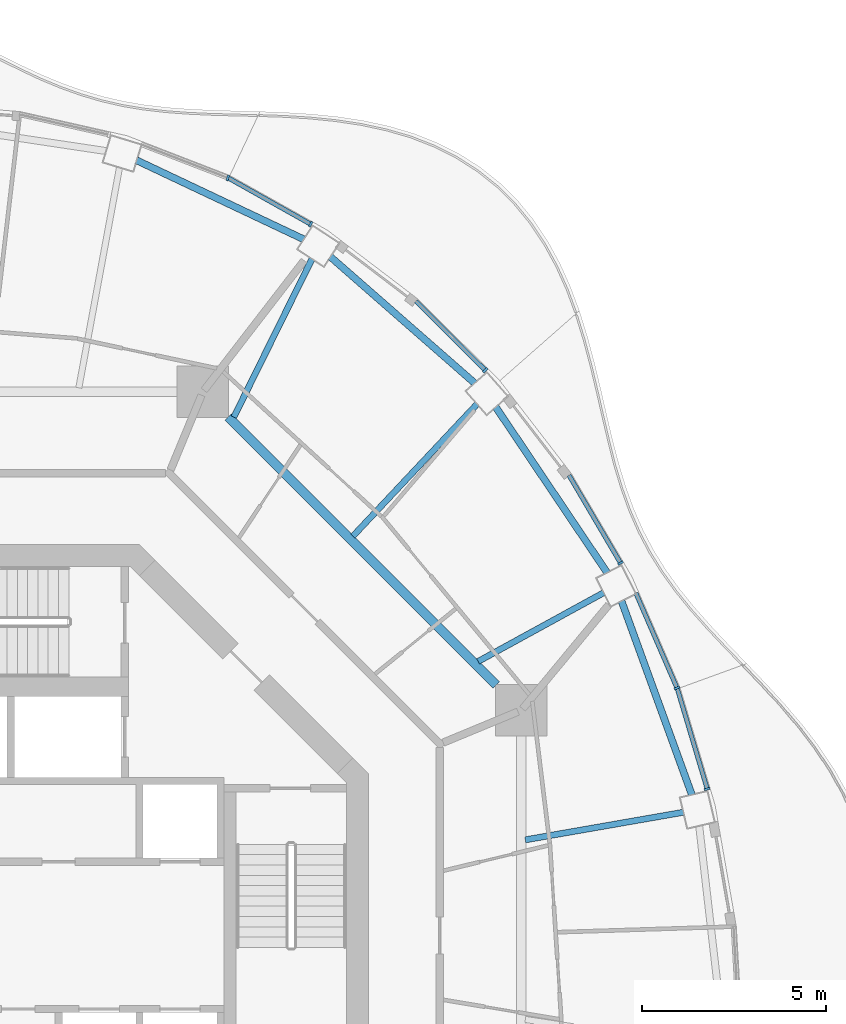
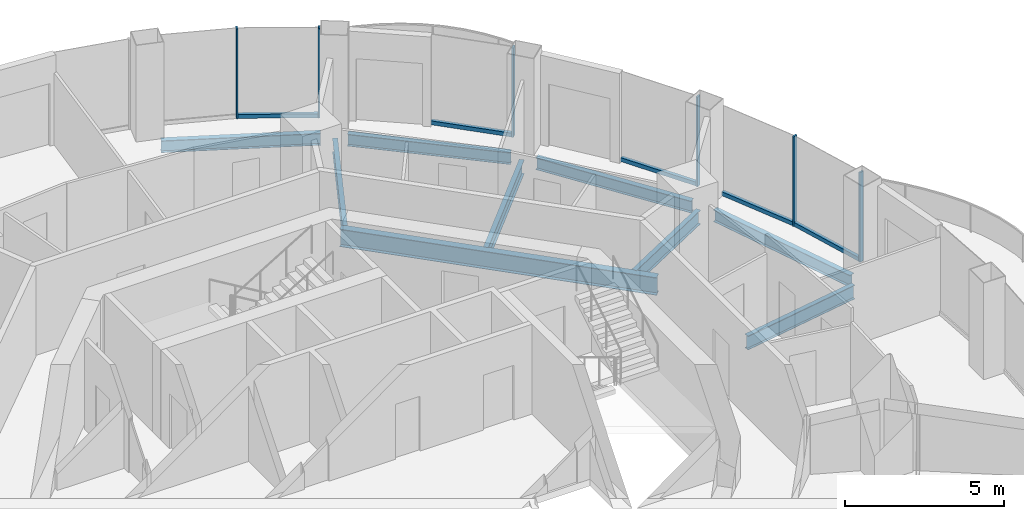
# One storey, part 7 of 17: 11 members, 9 beams, 6 elements without a shape of their own.
"""IFC4 building model written with IfcOpenShell, lengths in metres."""

from ifc_helpers import new_model, si_unit, direction, frame, origin, origin_2d, place, context, subcontext, project, spatial, rectangle, i_section, extrude, material, layer, layer_set, material_profile, profile_set, type_object, element, aggregate, save


model = new_model("IFC4")

# Units and contexts
model_context = context("Model", 3, precision=1e-05, world=origin(), true_north=direction((0.0, 1.0)))
body_context = subcontext(model_context, "Body", "Model", "MODEL_VIEW")
ifc_project = project(units=[si_unit("LENGTHUNIT", "METRE"), si_unit("AREAUNIT", "SQUARE_METRE"), si_unit("VOLUMEUNIT", "CUBIC_METRE"), si_unit("PLANEANGLEUNIT", "RADIAN"), si_unit("MASSUNIT", "GRAM", prefix="KILO")], contexts=[model_context])

# Site, building, storey
site_placement = place(None, origin())
site = spatial("IfcSite", under=ifc_project, at=site_placement, CompositionType="ELEMENT")
building_placement = place(site_placement, origin())
building = spatial("IfcBuilding", under=site, at=building_placement, Name="Nagisa Residences", CompositionType="ELEMENT")
storey_placement = place(building_placement, frame((0.0, 0.0, 280.699951171875)))
storey = spatial("IfcBuildingStorey", under=building, at=storey_placement, Name="L71", CompositionType="ELEMENT", Elevation=280.699951171875)

# Curtain wall, member
ifc_material_1 = material(Name="Concrete-coloured aluminium curtain wall system", Category="concrete")
ifc_layer = layer(ifc_material_1, 0.159912109375)
ifc_layer_set = layer_set([ifc_layer], Name="CW1 CURTAIN WALL")
curtain_wall_type = type_object("IfcCurtainWallType", Name="CW1 CURTAIN WALL", PredefinedType="NOTDEFINED", material=ifc_layer_set)
curtain_wall_1_placement = place(storey_placement, origin())
curtain_wall_1 = element("IfcCurtainWall", 1, at=curtain_wall_1_placement, inside=storey, type_object=curtain_wall_type, Name="cw:CW1:L71:02", PredefinedType="NOTDEFINED")
ifc_material_2 = material(Name="Concrete-coloured aluminium", Category="concrete")
ifc_material_profile_1 = material_profile(ifc_material_2, rectangle(XDim=0.159912109375, YDim=0.06005859375, at=origin_2d()), Name="CW1 MULLION 160x60")
ifc_profile_set_1 = profile_set([ifc_material_profile_1], Name="Concrete-coloured aluminium")
member_type_1 = type_object("IfcMemberType", Name="CW1 MULLION 160x60", PredefinedType="MULLION", material=ifc_profile_set_1)
member_1_placement = place(storey_placement, frame((19.83544921875, 3.9814453125, 0.0), z_axis=(0.0, 0.0, 1.0), x_axis=(-0.958271310082, -0.285860274038, 0.0)))
member_1 = element("IfcMember", 2, at=member_1_placement, type_object=member_type_1, Name="CW1 mullion", PredefinedType="MULLION", context=body_context, shape_type="SweptSolid", body=[
    extrude(rectangle(XDim=0.159912109375, YDim=0.06005859375, at=origin_2d()), origin(), (0.0, 0.0, 1.0), 3.43994140625),
])

curtain_wall_2_placement = place(storey_placement, origin())
curtain_wall_2 = element("IfcCurtainWall", 3, at=curtain_wall_2_placement, inside=storey, type_object=curtain_wall_type, Name="cw:CW1:L71:03", PredefinedType="NOTDEFINED")
member_2_placement = place(storey_placement, frame((19.012939453125, 6.728271484375, 0.0), z_axis=(0.0, 0.0, 1.0), x_axis=(-0.917543276295, -0.397635934147, 0.0)))
member_2 = element("IfcMember", 4, at=member_2_placement, type_object=member_type_1, Name="CW1 mullion", PredefinedType="MULLION", context=body_context, shape_type="SweptSolid", body=[
    extrude(rectangle(XDim=0.159912109375, YDim=0.06005859375, at=origin_2d()), origin(), (0.0, 0.0, 1.0), 3.43994140625),
])

curtain_wall_3_placement = place(storey_placement, origin())
curtain_wall_3 = element("IfcCurtainWall", 5, at=curtain_wall_3_placement, inside=storey, type_object=curtain_wall_type, Name="cw:CW1:L71:04", PredefinedType="NOTDEFINED")
member_3_placement = place(storey_placement, frame((17.4775390625, 10.125732421875, 0.0), z_axis=(0.0, 0.0, 1.0), x_axis=(-0.862328898214, -0.506348567002, 0.0)))
member_3 = element("IfcMember", 6, at=member_3_placement, type_object=member_type_1, Name="CW1 mullion", PredefinedType="MULLION", context=body_context, shape_type="SweptSolid", body=[
    extrude(rectangle(XDim=0.159912109375, YDim=0.06005859375, at=origin_2d()), origin(), (0.0, 0.0, 1.0), 3.43994140625),
])

curtain_wall_4_placement = place(storey_placement, origin())
curtain_wall_4 = element("IfcCurtainWall", 7, at=curtain_wall_4_placement, inside=storey, type_object=curtain_wall_type, Name="cw:CW1:L71:06", PredefinedType="NOTDEFINED")
member_4_placement = place(storey_placement, frame((13.798583984375, 15.36572265625, 0.0), z_axis=(0.0, 0.0, 1.0), x_axis=(-0.706376885714, -0.707835924016, 0.0)))
member_4 = element("IfcMember", 8, at=member_4_placement, type_object=member_type_1, Name="CW1 mullion", PredefinedType="MULLION", context=body_context, shape_type="SweptSolid", body=[
    extrude(rectangle(XDim=0.159912109375, YDim=0.06005859375, at=origin_2d()), origin(), (0.0, 0.0, 1.0), 3.43994140625),
])

curtain_wall_5_placement = place(storey_placement, origin())
curtain_wall_5 = element("IfcCurtainWall", 9, at=curtain_wall_5_placement, inside=storey, type_object=curtain_wall_type, Name="cw:CW1:L71:08", PredefinedType="NOTDEFINED")
member_5_placement = place(storey_placement, frame((9.05224609375, 19.3388671875, 0.0), z_axis=(0.0, 0.0, 1.0), x_axis=(-0.489376918501, -0.872072377523, 0.0)))
member_5 = element("IfcMember", 10, at=member_5_placement, type_object=member_type_1, Name="CW1 mullion", PredefinedType="MULLION", context=body_context, shape_type="SweptSolid", body=[
    extrude(rectangle(XDim=0.159912109375, YDim=0.06005859375, at=origin_2d()), origin(), (0.0, 0.0, 1.0), 3.43994140625),
])

curtain_wall_6_placement = place(storey_placement, origin())
curtain_wall_6 = element("IfcCurtainWall", 11, at=curtain_wall_6_placement, inside=storey, type_object=curtain_wall_type, Name="cw:CW1:L71:09", PredefinedType="NOTDEFINED")
member_6_placement = place(storey_placement, frame((6.799560546875, 20.59912109375, 0.0), z_axis=(0.0, 0.0, 1.0), x_axis=(-0.360327770268, -0.932825759707, 0.0)))
member_6 = element("IfcMember", 12, at=member_6_placement, type_object=member_type_1, Name="CW1 mullion", PredefinedType="MULLION", context=body_context, shape_type="SweptSolid", body=[
    extrude(rectangle(XDim=0.159912109375, YDim=0.06005859375, at=origin_2d()), origin(), (0.0, 0.0, 1.0), 3.43994140625),
])
aggregate(curtain_wall_6, [member_6])

# Member
ifc_material_3 = material(Name="Concrete-coloured aluminium", Category="concrete")
ifc_material_profile_2 = material_profile(ifc_material_3, rectangle(XDim=0.1201171875, YDim=0.14990234375, at=origin_2d()), Name="CW1 TRANSOM 120x150")
ifc_profile_set_2 = profile_set([ifc_material_profile_2], Name="Concrete-coloured aluminium")
member_type_2 = type_object("IfcMemberType", Name="CW1 TRANSOM 120x150", PredefinedType="USERDEFINED", material=ifc_profile_set_2)
member_7_placement = place(storey_placement, frame((19.843994140625, 3.95263671875, 0.074951171875), z_axis=(-0.285876209024, 0.9582665564, 0.0), x_axis=(-0.9582665564, -0.285876209024, 0.0)))
member_7 = element("IfcMember", 13, at=member_7_placement, type_object=member_type_2, Name="CW1 transom", ObjectType="TRANSOM", PredefinedType="USERDEFINED", context=body_context, shape_type="SweptSolid", body=[
    extrude(rectangle(XDim=0.1201171875, YDim=0.14990234375, at=origin_2d()), origin(), (0.0, 0.0, 1.0), 2.877197265625),
])

aggregate(curtain_wall_1, [member_1, member_7])

member_8_placement = place(storey_placement, frame((19.024658203125, 6.70068359375, 0.074951171875), z_axis=(-0.397597791596, 0.9175598052, 0.0), x_axis=(-0.9175598052, -0.397597791596, 0.0)))
member_8 = element("IfcMember", 14, at=member_8_placement, type_object=member_type_2, Name="CW1 transom", ObjectType="TRANSOM", PredefinedType="USERDEFINED", context=body_context, shape_type="SweptSolid", body=[
    extrude(rectangle(XDim=0.1201171875, YDim=0.14990234375, at=origin_2d()), origin(), (0.0, 0.0, 1.0), 2.841064453125),
])

aggregate(curtain_wall_2, [member_2, member_8])

member_9_placement = place(storey_placement, frame((17.49267578125, 10.099853515625, 0.074951171875), z_axis=(-0.506371364425, 0.862315511452, 0.0), x_axis=(-0.862315511452, -0.506371364425, 0.0)))
member_9 = element("IfcMember", 15, at=member_9_placement, type_object=member_type_2, Name="CW1 transom", ObjectType="TRANSOM", PredefinedType="USERDEFINED", context=body_context, shape_type="SweptSolid", body=[
    extrude(rectangle(XDim=0.1201171875, YDim=0.14990234375, at=origin_2d()), origin(), (0.0, 0.0, 1.0), 2.79638671875),
])

aggregate(curtain_wall_3, [member_3, member_9])

member_10_placement = place(storey_placement, frame((13.81982421875, 15.344482421875, 0.074951171875), z_axis=(-0.707876975297, 0.706335747251, 0.0), x_axis=(-0.706335747251, -0.707876975297, 0.0)))
member_10 = element("IfcMember", 16, at=member_10_placement, type_object=member_type_2, Name="CW1 transom", ObjectType="TRANSOM", PredefinedType="USERDEFINED", context=body_context, shape_type="SweptSolid", body=[
    extrude(rectangle(XDim=0.1201171875, YDim=0.14990234375, at=origin_2d()), origin(), (0.0, 0.0, 1.0), 2.69287109375),
])

aggregate(curtain_wall_4, [member_4, member_10])

member_11_placement = place(storey_placement, frame((9.078369140625, 19.32421875, 0.074951171875), z_axis=(-0.872052877201, 0.489411666561, 0.0), x_axis=(-0.489411666561, -0.872052877201, 0.0)))
member_11 = element("IfcMember", 17, at=member_11_placement, type_object=member_type_2, Name="CW1 transom", ObjectType="TRANSOM", PredefinedType="USERDEFINED", context=body_context, shape_type="SweptSolid", body=[
    extrude(rectangle(XDim=0.1201171875, YDim=0.14990234375, at=origin_2d()), origin(), (0.0, 0.0, 1.0), 2.593017578125),
])

aggregate(curtain_wall_5, [member_5, member_11])

# Beams
ifc_material_4 = material(Name="Steel ASTM A572 Gr 50", Category="steel")
ifc_material_profile_3 = material_profile(ifc_material_4, i_section(OverallWidth=0.2529296875, OverallDepth=0.677978515625, WebThickness=0.01171875, FlangeThickness=0.016357421875, at=origin_2d()), Name="W690x125")
ifc_profile_set_3 = profile_set([ifc_material_profile_3], Name="Steel ASTM A572 Gr 50")
beam_type_1 = type_object("IfcBeamType", Name="Inner ring beam W690x125", PredefinedType="BEAM", material=ifc_profile_set_3)
beam_1_placement = place(storey_placement, frame((14.09619140625, 6.808837890625, -0.598876953125), z_axis=(-0.707106781187, 0.707106781187, 0.0), x_axis=(-0.707106781187, -0.707106781187, 0.0)))
element("IfcBeam", 18, at=beam_1_placement, inside=storey, type_object=beam_type_1, Name="beam:L71:ib1", PredefinedType="BEAM", context=body_context, shape_type="SweptSolid", body=[
    extrude(i_section(OverallWidth=0.2529296875, OverallDepth=0.677978515625, WebThickness=0.01171875, FlangeThickness=0.016357421875, at=origin_2d()), origin(), (0.0, 0.0, 1.0), 10.305908203125),
])
ifc_material_5 = material(Name="Steel ASTM A572 Gr 50", Category="steel")
ifc_material_profile_4 = material_profile(ifc_material_5, i_section(OverallWidth=0.18994140625, OverallDepth=0.45703125, WebThickness=0.009033203125, FlangeThickness=0.014404296875, at=origin_2d()), Name="W460x74")
ifc_profile_set_4 = profile_set([ifc_material_profile_4], Name="Steel ASTM A572 Gr 50")
beam_type_2 = type_object("IfcBeamType", Name="Perimeter ring beam W460x74", PredefinedType="BEAM", material=ifc_profile_set_4)
beam_2_placement = place(storey_placement, frame((19.41845703125, 3.822021484375, -0.488525390625), z_axis=(-0.341211850477, 0.93998642176, 0.0), x_axis=(-0.93998642176, -0.341211850477, 0.0)))
element("IfcBeam", 19, at=beam_2_placement, inside=storey, type_object=beam_type_2, Name="beam:L71:pb02", PredefinedType="BEAM", context=body_context, shape_type="SweptSolid", body=[
    extrude(i_section(OverallWidth=0.18994140625, OverallDepth=0.45703125, WebThickness=0.009033203125, FlangeThickness=0.014404296875, at=origin_2d()), origin(), (0.0, 0.0, 1.0), 5.609619140625),
])
beam_3_placement = place(storey_placement, frame((17.11474609375, 9.862060546875, -0.488525390625), z_axis=(-0.558066424866, 0.829796279479, 0.0), x_axis=(-0.829796279479, -0.558066424866, 0.0)))
element("IfcBeam", 20, at=beam_3_placement, inside=storey, type_object=beam_type_2, Name="beam:L71:pb03", PredefinedType="BEAM", context=body_context, shape_type="SweptSolid", body=[
    extrude(i_section(OverallWidth=0.18994140625, OverallDepth=0.45703125, WebThickness=0.009033203125, FlangeThickness=0.014404296875, at=origin_2d()), origin(), (0.0, 0.0, 1.0), 5.43212890625),
])
beam_4_placement = place(storey_placement, frame((13.514892578125, 15.015380859375, -0.488525390625), z_axis=(-0.752385480596, 0.658723074279, 0.0), x_axis=(-0.658723074279, -0.752385480596, 0.0)))
element("IfcBeam", 21, at=beam_4_placement, inside=storey, type_object=beam_type_2, Name="beam:L71:pb04", PredefinedType="BEAM", context=body_context, shape_type="SweptSolid", body=[
    extrude(i_section(OverallWidth=0.18994140625, OverallDepth=0.45703125, WebThickness=0.009033203125, FlangeThickness=0.014404296875, at=origin_2d()), origin(), (0.0, 0.0, 1.0), 5.220947265625),
])
beam_5_placement = place(storey_placement, frame((8.8671875, 18.926513671875, -0.488525390625), z_axis=(-0.904115893837, 0.427287316113, 0.0), x_axis=(-0.427287316113, -0.904115893837, 0.0)))
element("IfcBeam", 22, at=beam_5_placement, inside=storey, type_object=beam_type_2, Name="beam:L71:pb05", PredefinedType="BEAM", context=body_context, shape_type="SweptSolid", body=[
    extrude(i_section(OverallWidth=0.18994140625, OverallDepth=0.45703125, WebThickness=0.009033203125, FlangeThickness=0.014404296875, at=origin_2d()), origin(), (0.0, 0.0, 1.0), 5.031494140625),
])
ifc_material_6 = material(Name="Steel ASTM A572 Gr 50", Category="steel")
ifc_material_profile_5 = material_profile(ifc_material_6, i_section(OverallWidth=0.166015625, OverallDepth=0.534912109375, WebThickness=0.01025390625, FlangeThickness=0.0166015625, at=origin_2d()), Name="W530x85")
ifc_profile_set_5 = profile_set([ifc_material_profile_5], Name="Steel ASTM A572 Gr 50")
beam_type_3 = type_object("IfcBeamType", Name="Radial beam W530x85", PredefinedType="BEAM", material=ifc_profile_set_5)
beam_6_placement = place(storey_placement, frame((19.191162109375, 3.349365234375, -0.52734375), z_axis=(-0.985114356534, -0.171900275017, 0.0), x_axis=(0.171900275017, -0.985114356534, 0.0)))
element("IfcBeam", 23, at=beam_6_placement, inside=storey, type_object=beam_type_3, Name="beam:L71:rb02", PredefinedType="BEAM", context=body_context, shape_type="SweptSolid", body=[
    extrude(i_section(OverallWidth=0.166015625, OverallDepth=0.534912109375, WebThickness=0.01025390625, FlangeThickness=0.0166015625, at=origin_2d()), origin(), (0.0, 0.0, 1.0), 4.3671875),
])
beam_7_placement = place(storey_placement, frame((17.02294921875, 9.31982421875, -0.52734375), z_axis=(-0.877142169669, -0.480230792628, 0.0), x_axis=(0.480230792628, -0.877142169669, 0.0)))
element("IfcBeam", 24, at=beam_7_placement, inside=storey, type_object=beam_type_3, Name="beam:L71:rb03", PredefinedType="BEAM", context=body_context, shape_type="SweptSolid", body=[
    extrude(i_section(OverallWidth=0.166015625, OverallDepth=0.534912109375, WebThickness=0.01025390625, FlangeThickness=0.0166015625, at=origin_2d()), origin(), (0.0, 0.0, 1.0), 3.894287109375),
])
beam_8_placement = place(storey_placement, frame((13.579833984375, 14.451416015625, -0.52734375), z_axis=(-0.684799688268, -0.728731354442, 0.0), x_axis=(0.728731354442, -0.684799688268, 0.0)))
element("IfcBeam", 25, at=beam_8_placement, inside=storey, type_object=beam_type_3, Name="beam:L71:rb04", PredefinedType="BEAM", context=body_context, shape_type="SweptSolid", body=[
    extrude(i_section(OverallWidth=0.166015625, OverallDepth=0.534912109375, WebThickness=0.01025390625, FlangeThickness=0.0166015625, at=origin_2d()), origin(), (0.0, 0.0, 1.0), 4.934814453125),
])
beam_9_placement = place(storey_placement, frame((9.09033203125, 18.3974609375, -0.52734375), z_axis=(-0.442997846128, -0.896522675857, 0.0), x_axis=(0.896522675857, -0.442997846128, 0.0)))
element("IfcBeam", 26, at=beam_9_placement, inside=storey, type_object=beam_type_3, Name="beam:L71:rb05", PredefinedType="BEAM", context=body_context, shape_type="SweptSolid", body=[
    extrude(i_section(OverallWidth=0.166015625, OverallDepth=0.534912109375, WebThickness=0.01025390625, FlangeThickness=0.0166015625, at=origin_2d()), origin(), (0.0, 0.0, 1.0), 4.80078125),
])

save(model, "model.ifc")
